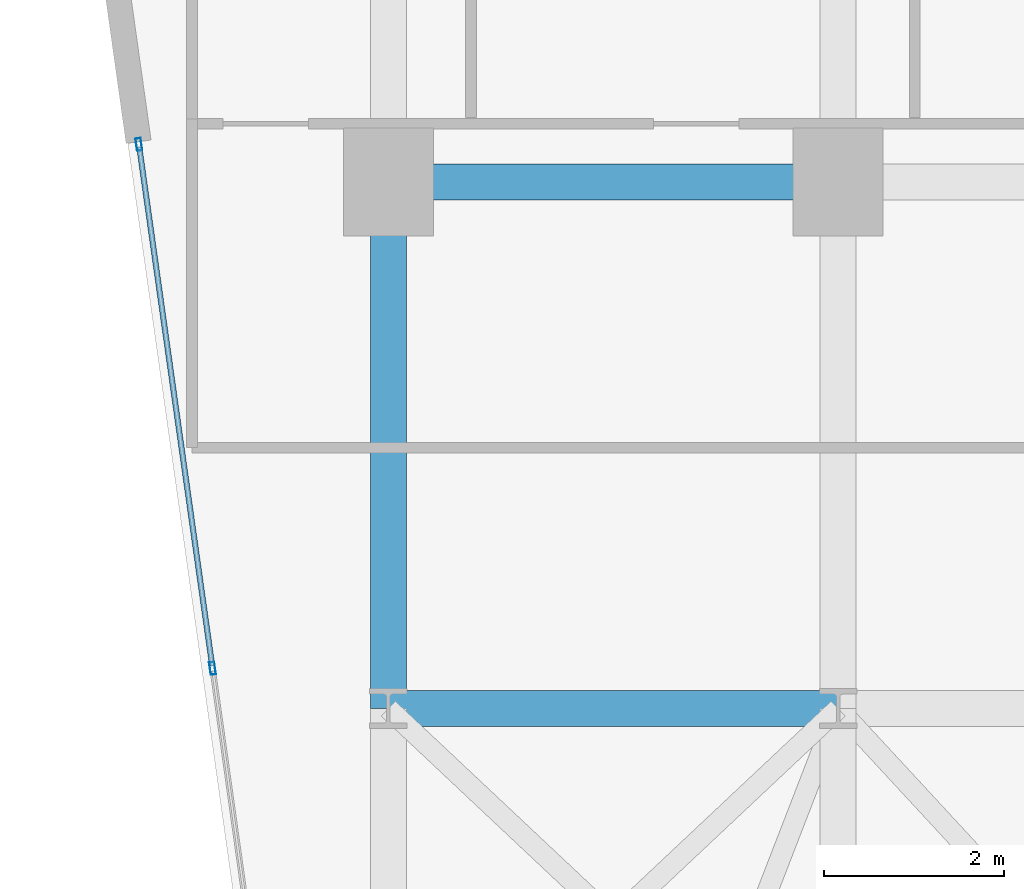
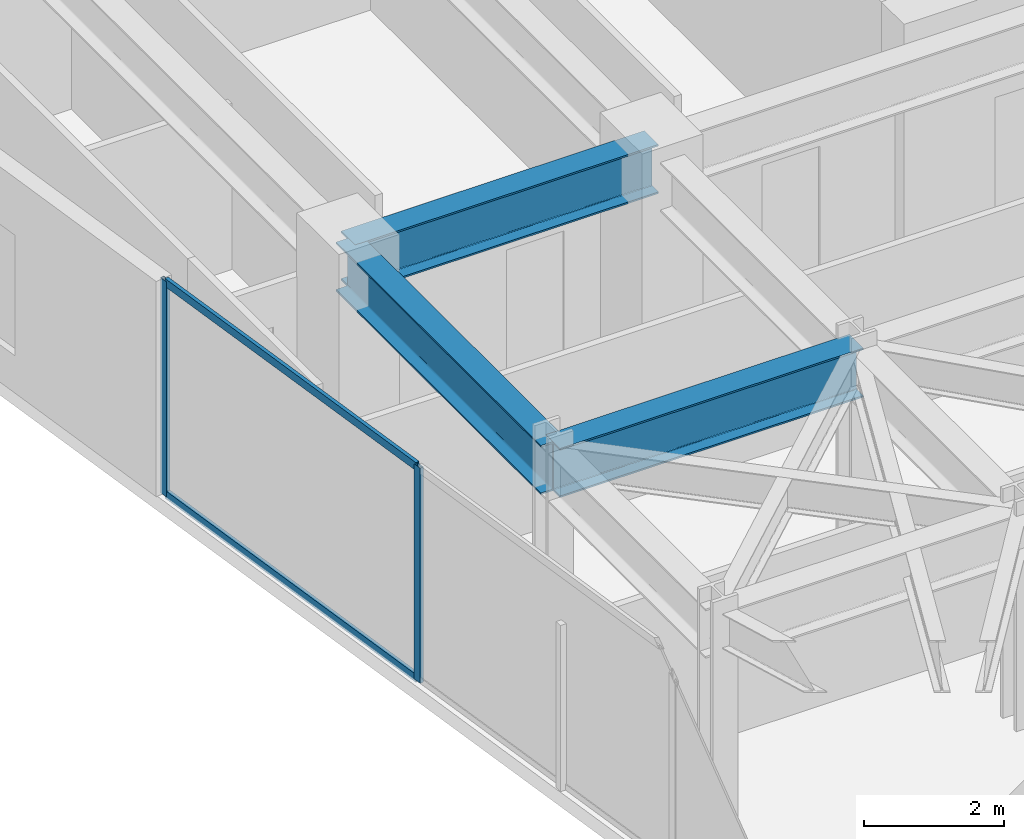
# One storey, part 11 of 26: 4 members, 3 beams, 1 element without a shape of its own.
"""IFC4 building model written with IfcOpenShell, lengths in metres."""

from ifc_helpers import new_model, si_unit, direction, frame, origin, origin_2d, place, context, subcontext, project, spatial, hollow_rectangle, i_section, extrude, material, layer, layer_set, material_profile, profile_set, type_object, element, aggregate, save


model = new_model("IFC4")

# Units and contexts
model_context = context("Model", 3, precision=1e-05, world=origin(), true_north=direction((0.0, 1.0)))
body_context = subcontext(model_context, "Body", "Model", "MODEL_VIEW")
ifc_project = project(units=[si_unit("LENGTHUNIT", "METRE"), si_unit("AREAUNIT", "SQUARE_METRE"), si_unit("VOLUMEUNIT", "CUBIC_METRE"), si_unit("PLANEANGLEUNIT", "RADIAN"), si_unit("MASSUNIT", "GRAM", prefix="KILO")], contexts=[model_context])

# Site, building, storey
site_placement = place(None, origin())
site = spatial("IfcSite", under=ifc_project, at=site_placement, CompositionType="ELEMENT")
building_placement = place(site_placement, origin())
building = spatial("IfcBuilding", under=site, at=building_placement, Name="Kravanh Interchange Tower", CompositionType="ELEMENT")
storey_placement = place(building_placement, frame((0.0, 0.0, 140.0)))
storey = spatial("IfcBuildingStorey", under=building, at=storey_placement, Name="L33", CompositionType="ELEMENT", Elevation=140.0)

# Curtain wall, members
ifc_material_1 = material(Name="Anodised Bronze Aluminium", Category="aluminium")
ifc_layer = layer(ifc_material_1, 0.179931640625)
ifc_layer_set = layer_set([ifc_layer], Name="Unitised Curtain Wall System CW-Z2 Mid Office")
curtain_wall_type = type_object("IfcCurtainWallType", Name="Unitised Curtain Wall System CW-Z2 Mid Office", PredefinedType="NOTDEFINED", material=ifc_layer_set)
curtain_wall_placement = place(storey_placement, origin())
curtain_wall = element("IfcCurtainWall", 1, at=curtain_wall_placement, inside=storey, type_object=curtain_wall_type, Name="L33 Unitised Curtain Wall CW-L33-01", PredefinedType="NOTDEFINED")
ifc_material_2 = material(Name="Anodised Bronze Aluminium", Category="aluminium")
ifc_material_profile_1 = material_profile(ifc_material_2, hollow_rectangle(XDim=0.06005859375, YDim=0.139892578125, WallThickness=0.00390625, at=origin_2d()), Name="ALU60X140X4")
ifc_profile_set_1 = profile_set([ifc_material_profile_1], Name="Anodised Bronze Aluminium")
member_type_1 = type_object("IfcMemberType", Name="Curtain Wall Mullion ALU60X140X4 Bronze", PredefinedType="MULLION", material=ifc_profile_set_1)
member_1_placement = place(storey_placement, frame((11.6474609375, 31.94775390625, 0.0), z_axis=(0.0, 0.0, 1.0), x_axis=(-0.990268103846, -0.13917285118, 0.0)))
member_1 = element("IfcMember", 2, at=member_1_placement, type_object=member_type_1, Name="CW-Z2 mullion 5", PredefinedType="MULLION", context=body_context, shape_type="SweptSolid", body=[
    extrude(hollow_rectangle(XDim=0.06005859375, YDim=0.139892578125, WallThickness=0.00390625, at=origin_2d()), origin(), (0.0, 0.0, 1.0), 3.75),
])
member_2_placement = place(storey_placement, frame((10.8291015625, 37.770263671875, 0.0), z_axis=(0.0, 0.0, 1.0), x_axis=(-0.990268103846, -0.13917285118, 0.0)))
member_2 = element("IfcMember", 3, at=member_2_placement, type_object=member_type_1, Name="CW-Z2 mullion 6", PredefinedType="MULLION", context=body_context, shape_type="SweptSolid", body=[
    extrude(hollow_rectangle(XDim=0.06005859375, YDim=0.139892578125, WallThickness=0.00390625, at=origin_2d()), origin(), (0.0, 0.0, 1.0), 3.75),
])
ifc_material_3 = material(Name="Anodised Bronze Aluminium", Category="aluminium")
ifc_material_profile_2 = material_profile(ifc_material_3, hollow_rectangle(XDim=0.06005859375, YDim=0.139892578125, WallThickness=0.00390625, at=origin_2d()), Name="ALU60X140X4")
ifc_profile_set_2 = profile_set([ifc_material_profile_2], Name="Anodised Bronze Aluminium")
member_type_2 = type_object("IfcMemberType", Name="Curtain Wall Transom ALU60X140X4 Bronze", PredefinedType="USERDEFINED", material=ifc_profile_set_2)
member_3_placement = place(storey_placement, frame((11.643310546875, 31.9775390625, 0.030029296875), z_axis=(-0.139195052528, 0.990264983402, 0.0), x_axis=(-0.990264983402, -0.139195052528, 0.0)))
member_3 = element("IfcMember", 4, at=member_3_placement, type_object=member_type_2, Name="CW-Z2 transom 5.1", ObjectType="TRANSOM", PredefinedType="USERDEFINED", context=body_context, shape_type="SweptSolid", body=[
    extrude(hollow_rectangle(XDim=0.06005859375, YDim=0.139892578125, WallThickness=0.00390625, at=origin_2d()), origin(), (0.0, 0.0, 1.0), 5.819580078125),
])
member_4_placement = place(storey_placement, frame((11.643310546875, 31.9775390625, 3.719970703125), z_axis=(-0.139195052528, 0.990264983402, 0.0), x_axis=(-0.990264983402, -0.139195052528, 0.0)))
member_4 = element("IfcMember", 5, at=member_4_placement, type_object=member_type_2, Name="CW-Z2 transom 5.2", ObjectType="TRANSOM", PredefinedType="USERDEFINED", context=body_context, shape_type="SweptSolid", body=[
    extrude(hollow_rectangle(XDim=0.06005859375, YDim=0.139892578125, WallThickness=0.00390625, at=origin_2d()), origin(), (0.0, 0.0, 1.0), 5.819580078125),
])
aggregate(curtain_wall, [member_1, member_2, member_3, member_4])

# Beams
ifc_material_4 = material(Name="Structural Steel S355", Category="steel")
ifc_material_profile_3 = material_profile(ifc_material_4, i_section(OverallWidth=0.39990234375, OverallDepth=0.85595703125, WebThickness=0.018310546875, FlangeThickness=0.029296875, FilletRadius=0.02490234375, at=origin_2d()), Name="W33X201")
ifc_profile_set_3 = profile_set([ifc_material_profile_3], Name="Structural Steel S355")
beam_type = type_object("IfcBeamType", Name="Floor Beam W33X201 Structural Steel S355", PredefinedType="BEAM", material=ifc_profile_set_3)
beam_1_placement = place(storey_placement, frame((18.60009765625, 37.35009765625, 3.322021484375), z_axis=(-1.0, 0.0, 0.0), x_axis=(0.0, -1.0, 0.0)))
element("IfcBeam", 6, at=beam_1_placement, inside=storey, type_object=beam_type, Name="L33 Primary Floor Girder 28", PredefinedType="BEAM", context=body_context, shape_type="SweptSolid", body=[
    extrude(i_section(OverallWidth=0.39990234375, OverallDepth=0.85595703125, WebThickness=0.018310546875, FlangeThickness=0.029296875, FilletRadius=0.02490234375, at=origin_2d()), origin(), (0.0, 0.0, 1.0), 5.0),
])
beam_2_placement = place(storey_placement, frame((13.60009765625, 37.35009765625, 3.322021484375), z_axis=(0.0, -1.0, 0.0), x_axis=(1.0, 0.0, 0.0)))
element("IfcBeam", 7, at=beam_2_placement, inside=storey, type_object=beam_type, Name="L33 Primary Floor Girder 32", PredefinedType="BEAM", context=body_context, shape_type="SweptSolid", body=[
    extrude(i_section(OverallWidth=0.39990234375, OverallDepth=0.85595703125, WebThickness=0.018310546875, FlangeThickness=0.029296875, FilletRadius=0.02490234375, at=origin_2d()), origin(), (0.0, 0.0, 1.0), 5.85009765625),
])
beam_3_placement = place(storey_placement, frame((13.60009765625, 31.5, 3.322021484375), z_axis=(1.0, 0.0, 0.0), x_axis=(0.0, 1.0, 0.0)))
element("IfcBeam", 8, at=beam_3_placement, inside=storey, type_object=beam_type, Name="L33 Primary Floor Girder 69", PredefinedType="BEAM", context=body_context, shape_type="SweptSolid", body=[
    extrude(i_section(OverallWidth=0.39990234375, OverallDepth=0.85595703125, WebThickness=0.018310546875, FlangeThickness=0.029296875, FilletRadius=0.02490234375, at=origin_2d()), origin(), (0.0, 0.0, 1.0), 5.0),
])

save(model, "model.ifc")
